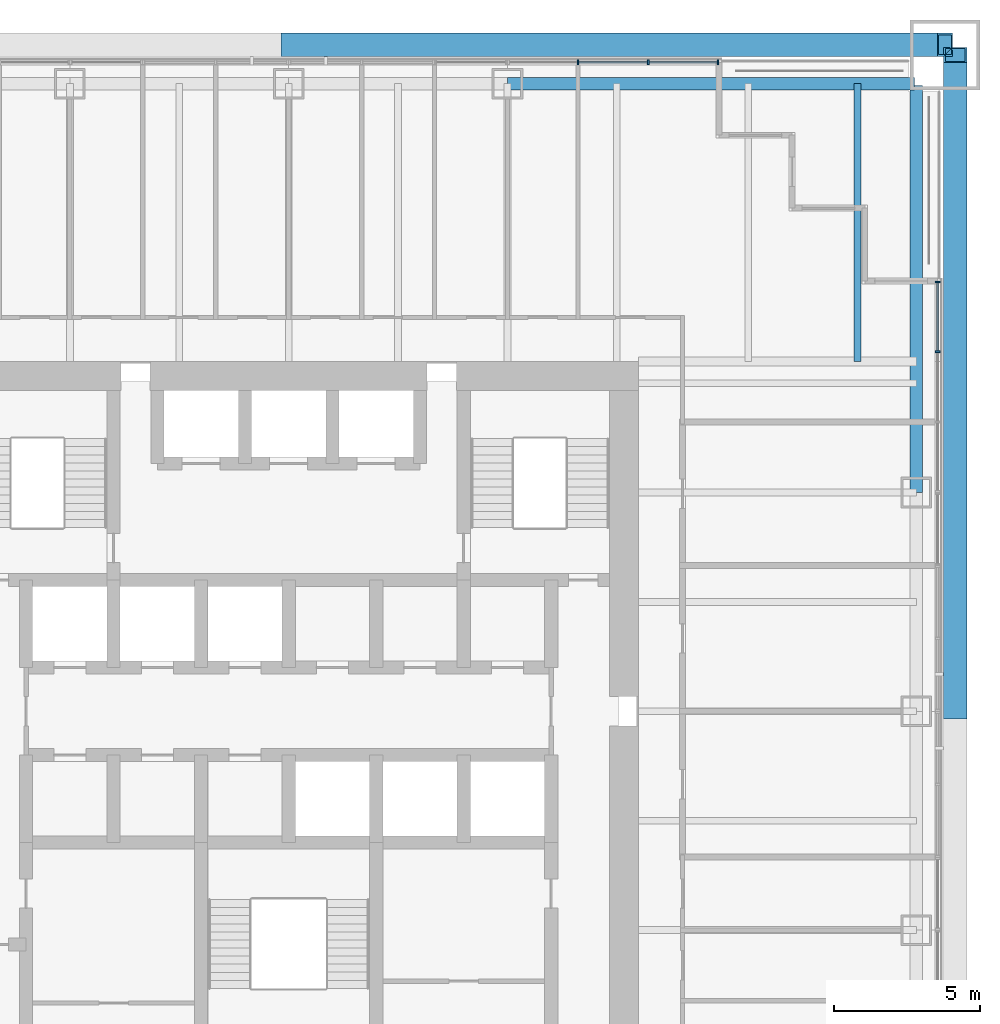
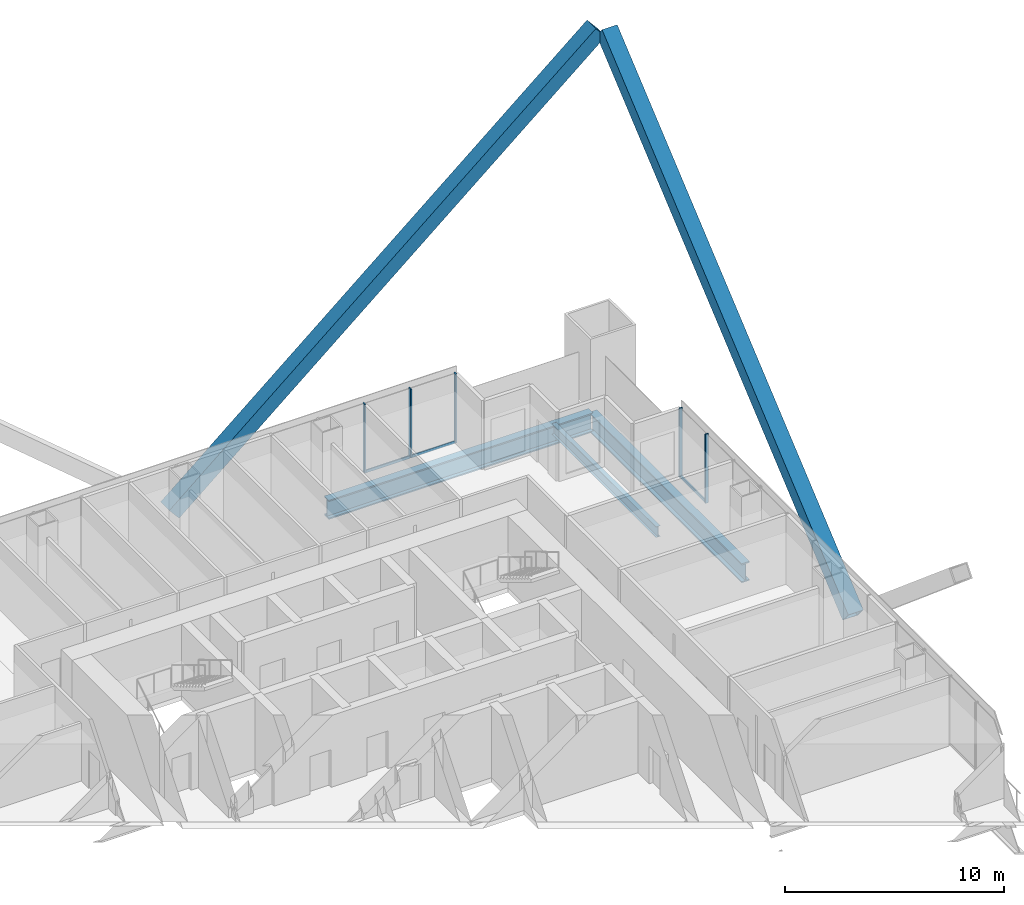
# One storey, part 9 of 17: 10 members, 3 beams, 2 elements without a shape of their own.
"""IFC4 building model written with IfcOpenShell, lengths in metres."""

from ifc_helpers import new_model, si_unit, direction, frame, origin, origin_2d, place, context, subcontext, project, spatial, rectangle, hollow_rectangle, i_section, extrude, material, material_profile, profile_set, type_object, element, aggregate, save


model = new_model("IFC4")

# Units and contexts
model_context = context("Model", 3, precision=1e-05, world=origin(), true_north=direction((0.0, 1.0)))
body_context = subcontext(model_context, "Body", "Model", "MODEL_VIEW")
ifc_project = project(units=[si_unit("LENGTHUNIT", "METRE"), si_unit("AREAUNIT", "SQUARE_METRE"), si_unit("VOLUMEUNIT", "CUBIC_METRE"), si_unit("PLANEANGLEUNIT", "RADIAN"), si_unit("MASSUNIT", "GRAM", prefix="KILO")], contexts=[model_context])

# Site, building, storey
site_placement = place(None, origin())
site = spatial("IfcSite", under=ifc_project, at=site_placement, CompositionType="ELEMENT")
building_placement = place(site_placement, origin())
building = spatial("IfcBuilding", under=site, at=building_placement, Name="Tarangal Relay Tower", CompositionType="ELEMENT")
storey_placement = place(building_placement, frame((0.0, 0.0, 233.89990234375)))
storey = spatial("IfcBuildingStorey", under=building, at=storey_placement, Name="L50", CompositionType="ELEMENT", Elevation=233.89990234375)

# Beams
ifc_material_1 = material(Name="Steel ASTM A992", Category="steel")
ifc_material_profile_1 = material_profile(ifc_material_1, i_section(OverallWidth=0.227783203125, OverallDepth=0.60205078125, WebThickness=0.010498046875, FlangeThickness=0.014892578125, at=origin_2d()), Name="W24X68")
ifc_profile_set_1 = profile_set([ifc_material_profile_1], Name="Steel ASTM A992")
beam_type_1 = type_object("IfcBeamType", Name="Corner beam W24X68", PredefinedType="JOIST", material=ifc_profile_set_1)
beam_placement = place(storey_placement, frame((19.5, 12.0, -0.450927734375), z_axis=(0.0, 1.0, 0.0), x_axis=(-1.0, 0.0, 0.0)))
element("IfcBeam", 1, at=beam_placement, inside=storey, type_object=beam_type_1, Name="Corner beam CB11 N L50", PredefinedType="JOIST", context=body_context, shape_type="SweptSolid", body=[
    extrude(i_section(OverallWidth=0.227783203125, OverallDepth=0.60205078125, WebThickness=0.010498046875, FlangeThickness=0.014892578125, at=origin_2d()), origin(), (0.0, 0.0, 1.0), 9.514892578125),
])
ifc_material_profile_2 = material_profile(ifc_material_1, i_section(OverallWidth=0.41650390625, OverallDepth=1.0693359375, WebThickness=0.0390625, FlangeThickness=0.070068359375, at=origin_2d()), Name="W40X503")
ifc_profile_set_2 = profile_set([ifc_material_profile_2], Name="Steel ASTM A992")
beam_type_2 = type_object("IfcBeamType", Name="Edge girder W40X503", PredefinedType="SPANDREL", material=ifc_profile_set_2)
for number, where, z_axis, x_axis, name in (
    (2, (7.5, 21.514892578125, -0.6845703125), (1.0, 0.0, 0.0), (0.0, 1.0, 0.0), "Edge girder EG8 N L50"),
    (3, (21.514892578125, 21.449951171875, -0.6845703125), (0.0, -1.0, 0.0), (1.0, 0.0, 0.0), "Edge girder EG8 E L50"),
):
    element("IfcBeam", number, at=place(storey_placement, frame(where, z_axis=z_axis, x_axis=x_axis)), inside=storey, type_object=beam_type_2, Name=name, PredefinedType="SPANDREL", context=body_context, shape_type="SweptSolid", body=[
        extrude(i_section(OverallWidth=0.41650390625, OverallDepth=1.0693359375, WebThickness=0.0390625, FlangeThickness=0.070068359375, at=origin_2d()), origin(), (0.0, 0.0, 1.0), 13.949951171875),
    ])

# Members
ifc_material_2 = material(Name="Steel ASTM A572 Grade 50", Category="steel")
ifc_material_profile_3 = material_profile(ifc_material_2, hollow_rectangle(XDim=0.800048828125, YDim=0.800048828125, WallThickness=0.06494140625, at=origin_2d()), Name="BOX800X800X65")
ifc_profile_set_3 = profile_set([ifc_material_profile_3], Name="Steel ASTM A572 Grade 50")
member_type_1 = type_object("IfcMemberType", Name="Mega brace BOX800X800X65", PredefinedType="BRACE", material=ifc_profile_set_3)
for number, where, z_axis, x_axis, name in (
    (4, (0.0, 22.85009765625, 1.0), (0.764029915847, 0.0, 0.645180817826), (0.0, 1.0, 0.0), "Mega brace MB3 N face module 2"),
    (5, (22.85009765625, 0.0, 1.0), (0.0, 0.764029915847, 0.645180817826), (-1.0, 0.0, 0.0), "Mega brace MB3 E face module 2"),
):
    element("IfcMember", number, at=place(storey_placement, frame(where, z_axis=z_axis, x_axis=x_axis)), inside=storey, type_object=member_type_1, Name=name, PredefinedType="BRACE", context=body_context, shape_type="SweptSolid", body=[
        extrude(hollow_rectangle(XDim=0.800048828125, YDim=0.800048828125, WallThickness=0.06494140625, at=origin_2d()), origin(), (0.0, 0.0, 1.0), 29.44921875),
    ])

# Curtain wall, members
ifc_material_3 = material(Name="Unitised curtain wall, dark glass and black aluminium", Category="aluminium")
curtain_wall_type = type_object("IfcCurtainWallType", Name="Curtain wall CW-A", PredefinedType="USERDEFINED", material=ifc_material_3)
curtain_wall_1_placement = place(storey_placement, origin())
curtain_wall_1 = element("IfcCurtainWall", 6, at=curtain_wall_1_placement, inside=storey, type_object=curtain_wall_type, Name="Curtain wall CW-A N facade L50", ObjectType="UNITISED CURTAIN WALL", PredefinedType="USERDEFINED")
ifc_material_4 = material(Name="Black anodised aluminium mullion", Category="aluminium")
ifc_material_profile_4 = material_profile(ifc_material_4, rectangle(XDim=0.175048828125, YDim=0.06494140625, at=origin_2d()), Name="CW-AM 65X175")
ifc_profile_set_4 = profile_set([ifc_material_profile_4], Name="Black anodised aluminium mullion")
member_type_2 = type_object("IfcMemberType", Name="Mullion CW-A 65 x 175", PredefinedType="MULLION", material=ifc_profile_set_4)
member_1_placement = place(storey_placement, frame((9.916748046875, 22.25, 0.0), z_axis=(0.0, 0.0, 1.0), x_axis=(0.0, 1.0, 0.0)))
member_1 = element("IfcMember", 7, at=member_1_placement, type_object=member_type_2, Name="CW-A mullion 2", PredefinedType="MULLION", context=body_context, shape_type="SweptSolid", body=[
    extrude(rectangle(XDim=0.175048828125, YDim=0.06494140625, at=origin_2d()), origin(), (0.0, 0.0, 1.0), 3.85009765625),
])
member_2_placement = place(storey_placement, frame((12.333251953125, 22.25, 0.0), z_axis=(0.0, 0.0, 1.0), x_axis=(0.0, 1.0, 0.0)))
member_2 = element("IfcMember", 8, at=member_2_placement, type_object=member_type_2, Name="CW-A mullion 3", PredefinedType="MULLION", context=body_context, shape_type="SweptSolid", body=[
    extrude(rectangle(XDim=0.175048828125, YDim=0.06494140625, at=origin_2d()), origin(), (0.0, 0.0, 1.0), 3.85009765625),
])
member_3_placement = place(storey_placement, frame((14.717529296875, 22.25, 0.0), z_axis=(0.0, 0.0, 1.0), x_axis=(0.0, 1.0, 0.0)))
member_3 = element("IfcMember", 9, at=member_3_placement, type_object=member_type_2, Name="CW-A mullion 4", PredefinedType="MULLION", context=body_context, shape_type="SweptSolid", body=[
    extrude(rectangle(XDim=0.175048828125, YDim=0.06494140625, at=origin_2d()), origin(), (0.0, 0.0, 1.0), 3.85009765625),
])

curtain_wall_2_placement = place(storey_placement, origin())
curtain_wall_2 = element("IfcCurtainWall", 10, at=curtain_wall_2_placement, inside=storey, type_object=curtain_wall_type, Name="Curtain wall CW-A E facade L50", ObjectType="UNITISED CURTAIN WALL", PredefinedType="USERDEFINED")
member_4_placement = place(storey_placement, frame((22.25, 14.717529296875, 0.0), z_axis=(0.0, 0.0, 1.0), x_axis=(1.0, 0.0, 0.0)))
member_4 = element("IfcMember", 11, at=member_4_placement, type_object=member_type_2, Name="CW-A mullion 1", PredefinedType="MULLION", context=body_context, shape_type="SweptSolid", body=[
    extrude(rectangle(XDim=0.175048828125, YDim=0.06494140625, at=origin_2d()), origin(), (0.0, 0.0, 1.0), 3.85009765625),
])
member_5_placement = place(storey_placement, frame((22.25, 12.333251953125, 0.0), z_axis=(0.0, 0.0, 1.0), x_axis=(1.0, 0.0, 0.0)))
member_5 = element("IfcMember", 12, at=member_5_placement, type_object=member_type_2, Name="CW-A mullion 2", PredefinedType="MULLION", context=body_context, shape_type="SweptSolid", body=[
    extrude(rectangle(XDim=0.175048828125, YDim=0.06494140625, at=origin_2d()), origin(), (0.0, 0.0, 1.0), 3.85009765625),
])

# Member
ifc_material_5 = material(Name="Black anodised aluminium transom", Category="aluminium")
ifc_material_profile_5 = material_profile(ifc_material_5, rectangle(XDim=0.06494140625, YDim=0.14990234375, at=origin_2d()), Name="CW-AT 65X150")
ifc_profile_set_5 = profile_set([ifc_material_profile_5], Name="Black anodised aluminium transom")
member_type_3 = type_object("IfcMemberType", Name="Transom CW-A 65 x 150", PredefinedType="USERDEFINED", material=ifc_profile_set_5)
member_6_placement = place(storey_placement, frame((9.94921875, 22.25, 0.03271484375), z_axis=(1.0, 0.0, 0.0), x_axis=(0.0, 1.0, 0.0)))
member_6 = element("IfcMember", 13, at=member_6_placement, type_object=member_type_3, Name="CW-A transom 2.1", ObjectType="TRANSOM", PredefinedType="USERDEFINED", context=body_context, shape_type="SweptSolid", body=[
    extrude(rectangle(XDim=0.06494140625, YDim=0.14990234375, at=origin_2d()), origin(), (0.0, 0.0, 1.0), 2.3515625),
])

member_7_placement = place(storey_placement, frame((12.36572265625, 22.25, 0.03271484375), z_axis=(1.0, 0.0, 0.0), x_axis=(0.0, 1.0, 0.0)))
member_7 = element("IfcMember", 14, at=member_7_placement, type_object=member_type_3, Name="CW-A transom 3.1", ObjectType="TRANSOM", PredefinedType="USERDEFINED", context=body_context, shape_type="SweptSolid", body=[
    extrude(rectangle(XDim=0.06494140625, YDim=0.14990234375, at=origin_2d()), origin(), (0.0, 0.0, 1.0), 2.3193359375),
])

aggregate(curtain_wall_1, [member_1, member_2, member_3, member_6, member_7])

member_8_placement = place(storey_placement, frame((22.25, 14.68505859375, 0.03271484375), z_axis=(0.0, -1.0, 0.0), x_axis=(1.0, 0.0, 0.0)))
member_8 = element("IfcMember", 15, at=member_8_placement, type_object=member_type_3, Name="CW-A transom 1.1", ObjectType="TRANSOM", PredefinedType="USERDEFINED", context=body_context, shape_type="SweptSolid", body=[
    extrude(rectangle(XDim=0.06494140625, YDim=0.14990234375, at=origin_2d()), origin(), (0.0, 0.0, 1.0), 2.3193359375),
])

aggregate(curtain_wall_2, [member_4, member_5, member_8])

save(model, "model.ifc")
